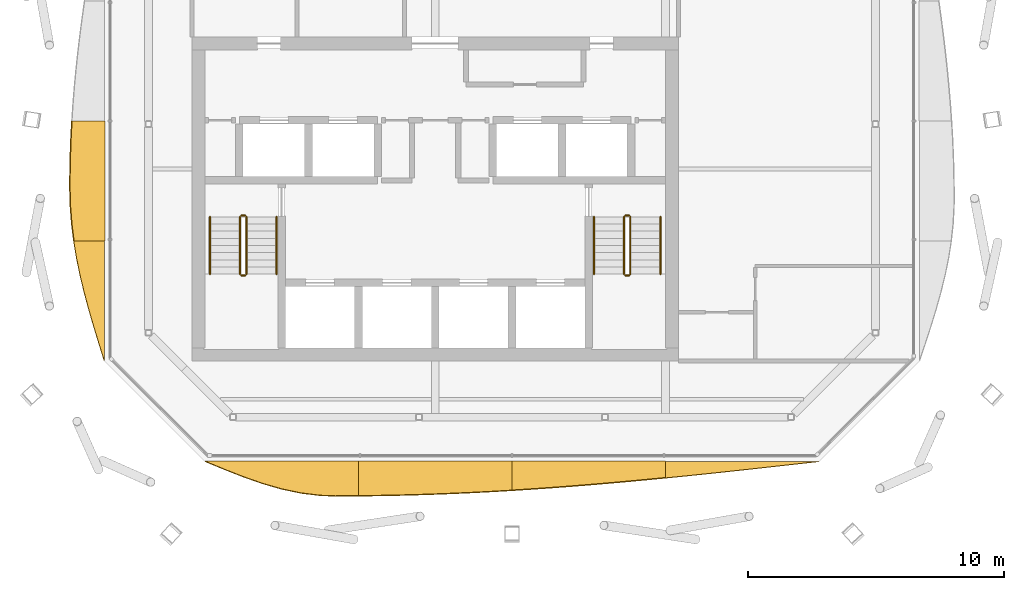
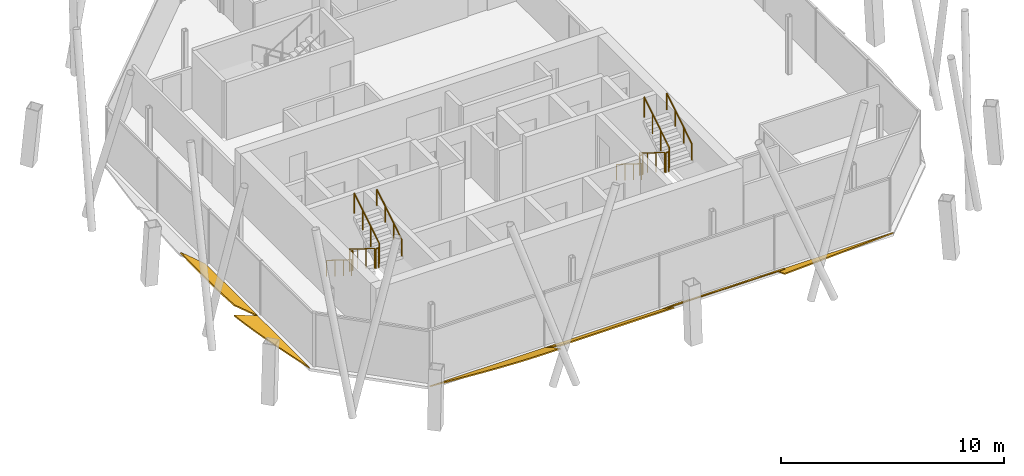
# One storey, part 11 of 13: 12 railings, 6 shading devices.
"""IFC4 building model written with IfcOpenShell, lengths in metres."""

from ifc_helpers import new_model, si_unit, direction, frame, origin, origin_2d, place, context, subcontext, project, spatial, polyline, circle, outline, extrude, material, layer, layer_set, type_object, element, save


model = new_model("IFC4")

# Units and contexts
model_context = context("Model", 3, precision=1e-05, world=origin(), true_north=direction((0.0, 1.0)))
body_context = subcontext(model_context, "Body", "Model", "MODEL_VIEW")
ifc_project = project(units=[si_unit("LENGTHUNIT", "METRE"), si_unit("AREAUNIT", "SQUARE_METRE"), si_unit("VOLUMEUNIT", "CUBIC_METRE"), si_unit("PLANEANGLEUNIT", "RADIAN"), si_unit("MASSUNIT", "GRAM", prefix="KILO")], contexts=[model_context])

# Site, building, storey
site_placement = place(None, origin())
site = spatial("IfcSite", under=ifc_project, at=site_placement, CompositionType="ELEMENT")
building_placement = place(site_placement, origin())
building = spatial("IfcBuilding", under=site, at=building_placement, Name="Tskaro Facet Tower", CompositionType="ELEMENT")
storey_placement = place(building_placement, frame((0.0, 0.0, 278.39990234375)))
storey = spatial("IfcBuildingStorey", under=building, at=storey_placement, Name="L74", CompositionType="ELEMENT", Elevation=278.39990234375)

# Shading devices
ifc_material_1 = material(Name="Bronze anodised aluminium 6063-T6", Category="aluminium")
ifc_layer = layer(ifc_material_1, 0.06005859375, Name="Bronze anodised aluminium 6063-T6")
ifc_layer_set = layer_set([ifc_layer], Name="Bronze anodised aluminium 6063-T6")
shading_device_type = type_object("IfcShadingDeviceType", Name="Bronze sun blade (FN1)", PredefinedType="USERDEFINED", material=ifc_layer_set)
shading_device_1_placement = place(storey_placement, frame((-8.990966796875, -15.91796875, 0.052001953125), z_axis=(4.017444e-06, 0.500031669275, 0.866007118739), x_axis=(0.999999999992, -2.008849e-06, -3.479135e-06)))
element("IfcShadingDevice", 1, at=shading_device_1_placement, inside=storey, type_object=shading_device_type, Name="Fin blade south 1", ObjectType="FIN", PredefinedType="USERDEFINED", context=body_context, shape_type="SweptSolid", body=[
    extrude(outline(polyline([(0.0, 0.0), (5.995361328076618, -1.2695671439040438e-21), (5.995361328055244, -1.5570210718170614), (5.246093749648332, -1.5612911870037545), (5.084228515765079, -1.5615026145229796), (4.496582031782732, -1.5357925739278535), (3.747070312593156, -1.4301383966588437), (2.997802734474396, -1.2480211087314206), (2.2482910155045523, -0.999404312247868), (1.4987792964256323, -0.6975212078067157), (0.749511718637068, -0.3583296614200304), (0.0, 0.0)])), origin(), (0.0, 0.0, -1.0), 0.06005859375),
])
shading_device_2_placement = place(storey_placement, frame((-2.99560546875, -15.91357421875, 0.04931640625), z_axis=(6.609634e-06, 0.573551005946, 0.819169850235), x_axis=(0.999999999978, -3.790962e-06, -5.414413e-06)))
element("IfcShadingDevice", 2, at=shading_device_2_placement, inside=storey, type_object=shading_device_type, Name="Fin blade south 2", ObjectType="FIN", PredefinedType="USERDEFINED", context=body_context, shape_type="SweptSolid", body=[
    extrude(outline(polyline([(0.0, 0.0), (5.9956054686190345, 2.5392376853846567e-21), (5.995605469213992, -1.3860940060861604), (5.2460937499895595, -1.4391960835006863), (4.496826170989508, -1.486677948456161), (3.747314452285726, -1.5283995738515208), (2.997802734503208, -1.5643609596867651), (2.248535156415893, -1.5941621206834506), (1.4990234380956706, -1.617663029740513), (0.7495117188456559, -1.6350037139590161), (-1.2272069577451243e-11, -1.646044146237896), (0.0, 0.0)])), origin(), (0.0, 0.0, -1.0), 0.06005859375),
])
shading_device_3_placement = place(storey_placement, frame((3.0, -15.909423828125, 0.046142578125), z_axis=(-6.753751e-06, 0.642749773452, 0.766076189868), x_axis=(0.999999999977, 4.340972e-06, 5.173888e-06)))
element("IfcShadingDevice", 3, at=shading_device_3_placement, inside=storey, type_object=shading_device_type, Name="Fin blade south 3", ObjectType="FIN", PredefinedType="USERDEFINED", context=body_context, shape_type="SweptSolid", body=[
    extrude(outline(polyline([(0.0, 0.0), (5.995605468613261, 2.5392376853846567e-21), (5.995605468772489, -0.8435915335680586), (5.2460937500059694, -0.9385569017204911), (4.4965820313255795, -1.0297086927212427), (3.7470703127313194, -1.1170469065703132), (2.997802734441486, -1.199883639965285), (2.2482910152060893, -1.2782188929061582), (1.4987792965065838, -1.3515216834219275), (0.7495117187646149, -1.4194480598613841), (-3.2961379462826556e-10, -1.4821850525443243), (0.0, 0.0)])), origin(), (0.0, 0.0, -1.0), 0.06005859375),
])
shading_device_4_placement = place(storey_placement, frame((8.99560546875, -15.927490234375, 0.056396484375), z_axis=(-3.426512e-06, 0.342224594329, 0.93961818151), x_axis=(0.999999999994, 1.172637e-06, 3.219613e-06)))
element("IfcShadingDevice", 4, at=shading_device_4_placement, inside=storey, type_object=shading_device_type, Name="Fin blade south 4", ObjectType="FIN", PredefinedType="USERDEFINED", context=body_context, shape_type="SweptSolid", body=[
    extrude(outline(polyline([(0.0, 0.0), (5.995361328089804, 0.0), (5.245849609615586, -0.0896700614034773), (4.496582031552904, -0.178797773940411), (3.7470703126517635, -0.2673831376108011), (2.9975585933236983, -0.35488380354810406), (2.248291015552322, -0.44092452473847693), (1.4987792965155629, -0.5253381993292191), (0.7492675781970325, -0.6077495803064876), (-6.405821443344983e-11, -0.6877621668474851), (0.0, 0.0)])), origin(), (0.0, 0.0, -1.0), 0.06005859375),
])
shading_device_5_placement = place(storey_placement, frame((-12.909423828125, -2.630615234375, 0.046142578125), z_axis=(0.642754486152, 1.3882501e-05, 0.766072235719), x_axis=(8.92304e-06, -0.999999999904, 1.0634998e-05)))
element("IfcShadingDevice", 5, at=shading_device_5_placement, inside=storey, type_object=shading_device_type, Name="Fin blade west 3", ObjectType="FIN", PredefinedType="USERDEFINED", context=body_context, shape_type="SweptSolid", body=[
    extrude(outline(polyline([(0.0, 0.0), (4.68017578079901, 0.0), (4.680175781551762, -1.560677227179713), (4.0114746094611755, -1.6693340668922054), (3.3430175772614747, -1.7377914248545734), (2.6743164068057843, -1.764643386848652), (2.583496092554018, -1.7651743680395207), (2.00561523433667, -1.760141906102641), (1.3371582044558736, -1.7414179725732881), (0.6684570297959703, -1.7093766261603445), (-1.0217398679595848e-09, -1.6641446824733401), (0.0, 0.0)])), origin(), (0.0, 0.0, -1.0), 0.06005859375),
])
shading_device_6_placement = place(storey_placement, frame((-12.927490234375, -7.310791015625, 0.056396484375), z_axis=(0.342078456886, -1.450478e-05, 0.939671394225), x_axis=(-4.961773e-06, -0.999999999895, -1.3629727e-05)))
element("IfcShadingDevice", 6, at=shading_device_6_placement, inside=storey, type_object=shading_device_type, Name="Fin blade west 4", ObjectType="FIN", PredefinedType="USERDEFINED", context=body_context, shape_type="SweptSolid", body=[
    extrude(outline(polyline([(0.0, 0.0), (4.680175780757672, 0.0), (4.011718750425319, -0.22212046929915313), (3.343017577322206, -0.4388386806688025), (2.674316405677831, -0.6451276848541819), (2.0058593763941235, -0.836044047848797), (1.3371582018429482, -1.0068113661426978), (0.6684570310992863, -1.1533203383271367), (-9.769923046074939e-10, -1.2723380631577361), (0.0, 0.0)])), origin(), (0.0, 0.0, -1.0), 0.06005859375),
])

# Railings
ifc_material_2 = material(Name="Stainless steel", Category="steel")
railing_type_1 = type_object("IfcRailingType", Name="RL-GUARD-1100", PredefinedType="GUARDRAIL", material=ifc_material_2)
railing_1_placement = place(storey_placement, frame((-7.625, -6.375, 0.175048828125)))
element("IfcRailing", 7, at=railing_1_placement, inside=storey, type_object=railing_type_1, Name="L74 ST-1 stair guard 1", PredefinedType="GUARDRAIL", context=body_context, shape_type="SweptSolid", body=[
    extrude(circle(Radius=0.02392578125, at=origin_2d()), frame((0.0, 0.0, 1.076171875), z_axis=(0.0, -0.847972341737, 0.530040477369), x_axis=(1.0, 0.0, 0.0)), (0.0, 0.0, 1.0), 2.6416015625),
    extrude(circle(Radius=0.02099609375, at=origin_2d()), origin(), (0.0, 0.0, 1.0), 1.052001953125),
    extrude(circle(Radius=0.02099609375, at=origin_2d()), frame((0.0, -0.74658203125, 0.466796875)), (0.0, 0.0, 1.0), 1.052001953125),
    extrude(circle(Radius=0.02099609375, at=origin_2d()), frame((0.0, -1.493408203125, 0.933349609375)), (0.0, 0.0, 1.0), 1.052001953125),
    extrude(circle(Radius=0.02099609375, at=origin_2d()), frame((0.0, -2.239990234375, 1.400146484375)), (0.0, 0.0, 1.0), 1.052001953125),
])
railing_2_placement = place(storey_placement, frame((-7.574951171875, -8.6650390625, 1.5751953125)))
element("IfcRailing", 8, at=railing_2_placement, inside=storey, type_object=railing_type_1, Name="L74 ST-1 stair guard 2", PredefinedType="GUARDRAIL", context=body_context, shape_type="SweptSolid", body=[
    extrude(circle(Radius=0.02392578125, at=origin_2d()), frame((0.0, 0.0, 1.076171875), z_axis=(1.0, 0.0, 0.0), x_axis=(0.0, 1.0, 0.0)), (0.0, 0.0, 1.0), 0.14990234375),
    extrude(circle(Radius=0.02099609375, at=origin_2d()), origin(), (0.0, 0.0, 1.0), 1.052001953125),
    extrude(circle(Radius=0.02099609375, at=origin_2d()), frame((0.14990234375, 0.0, 0.0)), (0.0, 0.0, 1.0), 1.052001953125),
])
railing_3_placement = place(storey_placement, frame((-7.375, -8.614990234375, 1.75)))
element("IfcRailing", 9, at=railing_3_placement, inside=storey, type_object=railing_type_1, Name="L74 ST-1 stair guard 3", PredefinedType="GUARDRAIL", context=body_context, shape_type="SweptSolid", body=[
    extrude(circle(Radius=0.02392578125, at=origin_2d()), frame((0.0, 0.0, 1.076171875), z_axis=(0.0, 0.847972341737, 0.530040477369), x_axis=(-1.0, 0.0, 0.0)), (0.0, 0.0, 1.0), 2.6416015625),
    extrude(circle(Radius=0.02099609375, at=origin_2d()), origin(), (0.0, 0.0, 1.0), 1.052001953125),
    extrude(circle(Radius=0.02099609375, at=origin_2d()), frame((0.0, 0.74658203125, 0.466796875)), (0.0, 0.0, 1.0), 1.052001953125),
    extrude(circle(Radius=0.02099609375, at=origin_2d()), frame((0.0, 1.493408203125, 0.933349609375)), (0.0, 0.0, 1.0), 1.052001953125),
    extrude(circle(Radius=0.02099609375, at=origin_2d()), frame((0.0, 2.239990234375, 1.400146484375)), (0.0, 0.0, 1.0), 1.052001953125),
])
railing_4_placement = place(storey_placement, frame((-7.574951171875, -6.324951171875, 0.0)))
element("IfcRailing", 10, at=railing_4_placement, inside=storey, type_object=railing_type_1, Name="L74 ST-1 stair guard 4", PredefinedType="GUARDRAIL", context=body_context, shape_type="SweptSolid", body=[
    extrude(circle(Radius=0.02392578125, at=origin_2d()), frame((0.0, 0.0, 1.076171875), z_axis=(1.0, 0.0, 0.0), x_axis=(0.0, 1.0, 0.0)), (0.0, 0.0, 1.0), 0.14990234375),
    extrude(circle(Radius=0.02099609375, at=origin_2d()), origin(), (0.0, 0.0, 1.0), 1.052001953125),
    extrude(circle(Radius=0.02099609375, at=origin_2d()), frame((0.14990234375, 0.0, 0.0)), (0.0, 0.0, 1.0), 1.052001953125),
])
railing_5_placement = place(storey_placement, frame((7.375, -6.375, 0.175048828125)))
element("IfcRailing", 11, at=railing_5_placement, inside=storey, type_object=railing_type_1, Name="L74 ST-2 stair guard 1", PredefinedType="GUARDRAIL", context=body_context, shape_type="SweptSolid", body=[
    extrude(circle(Radius=0.02392578125, at=origin_2d()), frame((0.0, 0.0, 1.076171875), z_axis=(0.0, -0.847972341737, 0.530040477369), x_axis=(1.0, 0.0, 0.0)), (0.0, 0.0, 1.0), 2.6416015625),
    extrude(circle(Radius=0.02099609375, at=origin_2d()), origin(), (0.0, 0.0, 1.0), 1.052001953125),
    extrude(circle(Radius=0.02099609375, at=origin_2d()), frame((0.0, -0.74658203125, 0.466796875)), (0.0, 0.0, 1.0), 1.052001953125),
    extrude(circle(Radius=0.02099609375, at=origin_2d()), frame((0.0, -1.493408203125, 0.933349609375)), (0.0, 0.0, 1.0), 1.052001953125),
    extrude(circle(Radius=0.02099609375, at=origin_2d()), frame((0.0, -2.239990234375, 1.400146484375)), (0.0, 0.0, 1.0), 1.052001953125),
])
railing_6_placement = place(storey_placement, frame((7.425048828125, -8.6650390625, 1.5751953125)))
element("IfcRailing", 12, at=railing_6_placement, inside=storey, type_object=railing_type_1, Name="L74 ST-2 stair guard 2", PredefinedType="GUARDRAIL", context=body_context, shape_type="SweptSolid", body=[
    extrude(circle(Radius=0.02392578125, at=origin_2d()), frame((0.0, 0.0, 1.076171875), z_axis=(1.0, 0.0, 0.0), x_axis=(0.0, 1.0, 0.0)), (0.0, 0.0, 1.0), 0.14990234375),
    extrude(circle(Radius=0.02099609375, at=origin_2d()), origin(), (0.0, 0.0, 1.0), 1.052001953125),
    extrude(circle(Radius=0.02099609375, at=origin_2d()), frame((0.14990234375, 0.0, 0.0)), (0.0, 0.0, 1.0), 1.052001953125),
])
railing_7_placement = place(storey_placement, frame((7.625, -8.614990234375, 1.75)))
element("IfcRailing", 13, at=railing_7_placement, inside=storey, type_object=railing_type_1, Name="L74 ST-2 stair guard 3", PredefinedType="GUARDRAIL", context=body_context, shape_type="SweptSolid", body=[
    extrude(circle(Radius=0.02392578125, at=origin_2d()), frame((0.0, 0.0, 1.076171875), z_axis=(0.0, 0.847972341737, 0.530040477369), x_axis=(-1.0, 0.0, 0.0)), (0.0, 0.0, 1.0), 2.6416015625),
    extrude(circle(Radius=0.02099609375, at=origin_2d()), origin(), (0.0, 0.0, 1.0), 1.052001953125),
    extrude(circle(Radius=0.02099609375, at=origin_2d()), frame((0.0, 0.74658203125, 0.466796875)), (0.0, 0.0, 1.0), 1.052001953125),
    extrude(circle(Radius=0.02099609375, at=origin_2d()), frame((0.0, 1.493408203125, 0.933349609375)), (0.0, 0.0, 1.0), 1.052001953125),
    extrude(circle(Radius=0.02099609375, at=origin_2d()), frame((0.0, 2.239990234375, 1.400146484375)), (0.0, 0.0, 1.0), 1.052001953125),
])
railing_8_placement = place(storey_placement, frame((7.425048828125, -6.324951171875, 0.0)))
element("IfcRailing", 14, at=railing_8_placement, inside=storey, type_object=railing_type_1, Name="L74 ST-2 stair guard 4", PredefinedType="GUARDRAIL", context=body_context, shape_type="SweptSolid", body=[
    extrude(circle(Radius=0.02392578125, at=origin_2d()), frame((0.0, 0.0, 1.076171875), z_axis=(1.0, 0.0, 0.0), x_axis=(0.0, 1.0, 0.0)), (0.0, 0.0, 1.0), 0.14990234375),
    extrude(circle(Radius=0.02099609375, at=origin_2d()), origin(), (0.0, 0.0, 1.0), 1.052001953125),
    extrude(circle(Radius=0.02099609375, at=origin_2d()), frame((0.14990234375, 0.0, 0.0)), (0.0, 0.0, 1.0), 1.052001953125),
])
railing_type_2 = type_object("IfcRailingType", Name="RL-HANDRAIL-900", PredefinedType="HANDRAIL", material=ifc_material_2)
railing_9_placement = place(storey_placement, frame((-8.800048828125, -6.375, 0.175048828125)))
element("IfcRailing", 15, at=railing_9_placement, inside=storey, type_object=railing_type_2, Name="L74 ST-1 stair handrail 1", PredefinedType="HANDRAIL", context=body_context, shape_type="SweptSolid", body=[
    extrude(circle(Radius=0.02392578125, at=origin_2d()), frame((0.0, 0.0, 0.8759765625), z_axis=(0.0, -0.847972341737, 0.530040477369), x_axis=(1.0, 0.0, 0.0)), (0.0, 0.0, 1.0), 2.6416015625),
    extrude(circle(Radius=0.02099609375, at=origin_2d()), origin(), (0.0, 0.0, 1.0), 0.851806640625),
    extrude(circle(Radius=0.02099609375, at=origin_2d()), frame((0.0, -0.74658203125, 0.466796875)), (0.0, 0.0, 1.0), 0.851806640625),
    extrude(circle(Radius=0.02099609375, at=origin_2d()), frame((0.0, -1.493408203125, 0.933349609375)), (0.0, 0.0, 1.0), 0.851806640625),
    extrude(circle(Radius=0.02099609375, at=origin_2d()), frame((0.0, -2.239990234375, 1.400146484375)), (0.0, 0.0, 1.0), 0.851806640625),
])
railing_10_placement = place(storey_placement, frame((-6.199951171875, -8.614990234375, 1.75)))
element("IfcRailing", 16, at=railing_10_placement, inside=storey, type_object=railing_type_2, Name="L74 ST-1 stair handrail 2", PredefinedType="HANDRAIL", context=body_context, shape_type="SweptSolid", body=[
    extrude(circle(Radius=0.02392578125, at=origin_2d()), frame((0.0, 0.0, 0.8759765625), z_axis=(0.0, 0.847972341737, 0.530040477369), x_axis=(-1.0, 0.0, 0.0)), (0.0, 0.0, 1.0), 2.6416015625),
    extrude(circle(Radius=0.02099609375, at=origin_2d()), origin(), (0.0, 0.0, 1.0), 0.851806640625),
    extrude(circle(Radius=0.02099609375, at=origin_2d()), frame((0.0, 0.74658203125, 0.466796875)), (0.0, 0.0, 1.0), 0.851806640625),
    extrude(circle(Radius=0.02099609375, at=origin_2d()), frame((0.0, 1.493408203125, 0.933349609375)), (0.0, 0.0, 1.0), 0.851806640625),
    extrude(circle(Radius=0.02099609375, at=origin_2d()), frame((0.0, 2.239990234375, 1.400146484375)), (0.0, 0.0, 1.0), 0.851806640625),
])
railing_11_placement = place(storey_placement, frame((6.199951171875, -6.375, 0.175048828125)))
element("IfcRailing", 17, at=railing_11_placement, inside=storey, type_object=railing_type_2, Name="L74 ST-2 stair handrail 1", PredefinedType="HANDRAIL", context=body_context, shape_type="SweptSolid", body=[
    extrude(circle(Radius=0.02392578125, at=origin_2d()), frame((0.0, 0.0, 0.8759765625), z_axis=(0.0, -0.847972341737, 0.530040477369), x_axis=(1.0, 0.0, 0.0)), (0.0, 0.0, 1.0), 2.6416015625),
    extrude(circle(Radius=0.02099609375, at=origin_2d()), origin(), (0.0, 0.0, 1.0), 0.851806640625),
    extrude(circle(Radius=0.02099609375, at=origin_2d()), frame((0.0, -0.74658203125, 0.466796875)), (0.0, 0.0, 1.0), 0.851806640625),
    extrude(circle(Radius=0.02099609375, at=origin_2d()), frame((0.0, -1.493408203125, 0.933349609375)), (0.0, 0.0, 1.0), 0.851806640625),
    extrude(circle(Radius=0.02099609375, at=origin_2d()), frame((0.0, -2.239990234375, 1.400146484375)), (0.0, 0.0, 1.0), 0.851806640625),
])
railing_12_placement = place(storey_placement, frame((8.800048828125, -8.614990234375, 1.75)))
element("IfcRailing", 18, at=railing_12_placement, inside=storey, type_object=railing_type_2, Name="L74 ST-2 stair handrail 2", PredefinedType="HANDRAIL", context=body_context, shape_type="SweptSolid", body=[
    extrude(circle(Radius=0.02392578125, at=origin_2d()), frame((0.0, 0.0, 0.8759765625), z_axis=(0.0, 0.847972341737, 0.530040477369), x_axis=(-1.0, 0.0, 0.0)), (0.0, 0.0, 1.0), 2.6416015625),
    extrude(circle(Radius=0.02099609375, at=origin_2d()), origin(), (0.0, 0.0, 1.0), 0.851806640625),
    extrude(circle(Radius=0.02099609375, at=origin_2d()), frame((0.0, 0.74658203125, 0.466796875)), (0.0, 0.0, 1.0), 0.851806640625),
    extrude(circle(Radius=0.02099609375, at=origin_2d()), frame((0.0, 1.493408203125, 0.933349609375)), (0.0, 0.0, 1.0), 0.851806640625),
    extrude(circle(Radius=0.02099609375, at=origin_2d()), frame((0.0, 2.239990234375, 1.400146484375)), (0.0, 0.0, 1.0), 0.851806640625),
])

save(model, "model.ifc")
